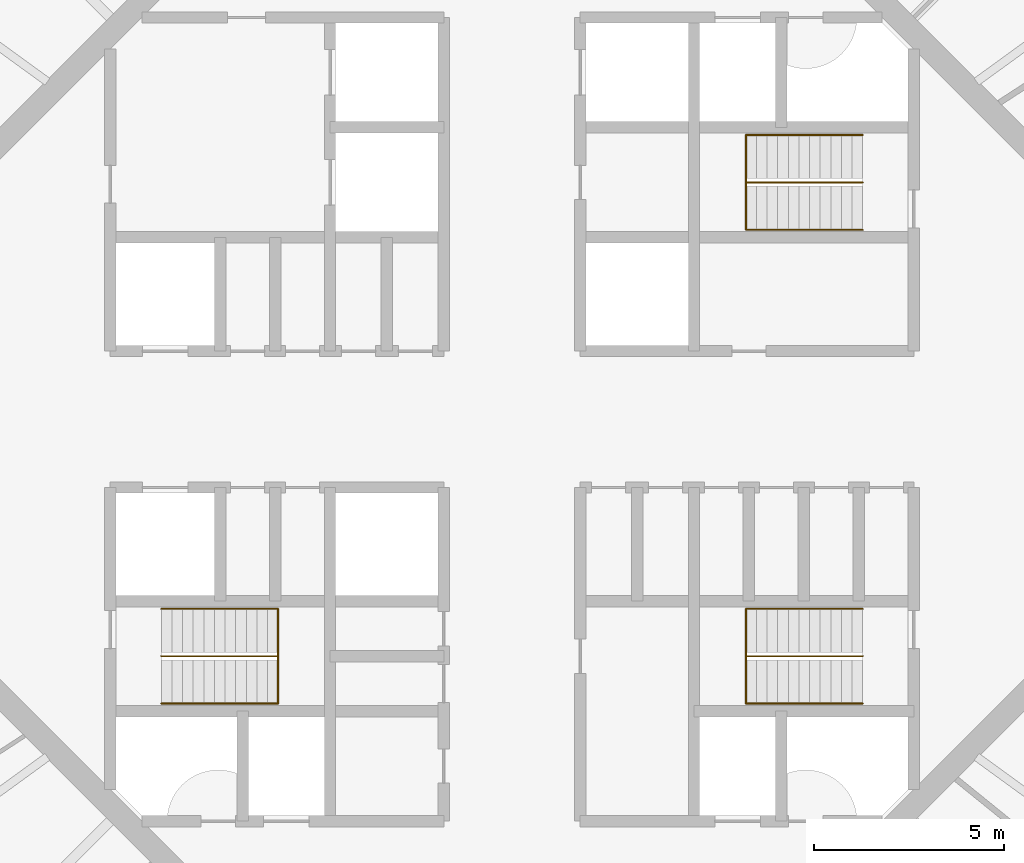
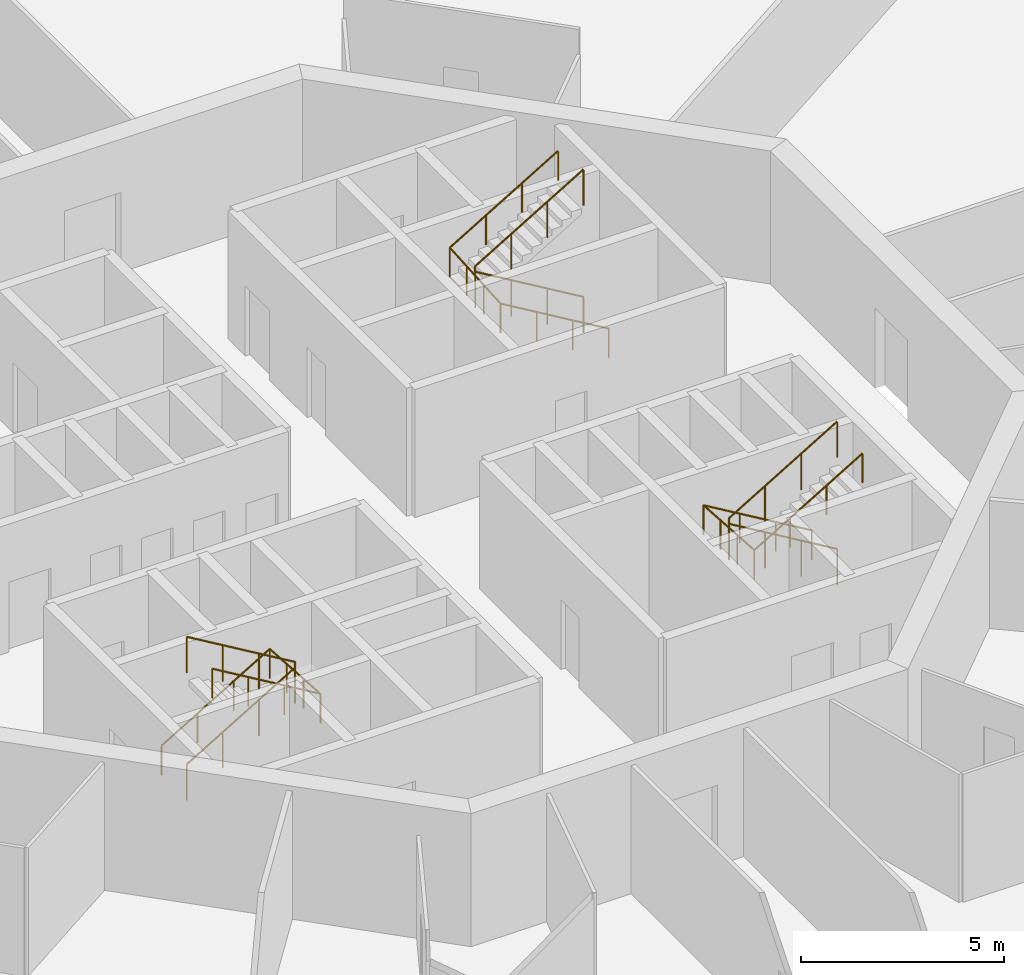
# One storey, part 13 of 13: 6 railings.
"""IFC4 building model written with IfcOpenShell, lengths in metres."""

from ifc_helpers import new_model, si_unit, direction, frame, origin, origin_2d, place, context, subcontext, project, spatial, circle, extrude, material, type_object, element, save


model = new_model("IFC4")

# Units and contexts
model_context = context("Model", 3, precision=1e-05, world=origin(), true_north=direction((0.0, 1.0)))
body_context = subcontext(model_context, "Body", "Model", "MODEL_VIEW")
ifc_project = project(units=[si_unit("LENGTHUNIT", "METRE"), si_unit("AREAUNIT", "SQUARE_METRE"), si_unit("VOLUMEUNIT", "CUBIC_METRE"), si_unit("PLANEANGLEUNIT", "RADIAN"), si_unit("MASSUNIT", "GRAM", prefix="KILO")], contexts=[model_context])

# Site, building, storey
site_placement = place(None, origin())
site = spatial("IfcSite", under=ifc_project, at=site_placement, CompositionType="ELEMENT")
building_placement = place(site_placement, origin())
building = spatial("IfcBuilding", under=site, at=building_placement, Name="Entoto Ring Tower", CompositionType="ELEMENT")
storey_placement = place(building_placement, frame((0.0, 0.0, 364.0)))
storey = spatial("IfcBuildingStorey", under=building, at=storey_placement, Name="L84", CompositionType="ELEMENT", Elevation=364.0)

# Railings
ifc_material_1 = material(Name="Steel S275", Category="steel")
railing_type_1 = type_object("IfcRailingType", Name="Stair guard 1100 mm steel", PredefinedType="GUARDRAIL", material=ifc_material_1)
railing_1_placement = place(storey_placement, frame((99.25, 86.25, 0.166748046875)))
element("IfcRailing", 1, at=railing_1_placement, inside=storey, type_object=railing_type_1, Name="Guard ST1", PredefinedType="GUARDRAIL", context=body_context, shape_type="SweptSolid", body=[
    extrude(circle(Radius=0.02392578125, at=origin_2d()), frame((0.0, 0.0, 1.076171875), z_axis=(-0.859308565015, 0.0, 0.511457515432), x_axis=(0.0, -1.0, 0.0)), (0.0, 0.0, 1.0), 3.58447265625),
    extrude(circle(Radius=0.02392578125, at=origin_2d()), frame((-3.080078125, 0.0, 2.9091796875), z_axis=(0.0, 0.0, 1.0), x_axis=(1.0, 0.0, 0.0)), (0.0, 0.0, 1.0), 0.166748046875),
    extrude(circle(Radius=0.02392578125, at=origin_2d()), frame((-3.080078125, 0.0, 3.076171875), z_axis=(0.859308565015, 0.0, 0.511457515432), x_axis=(0.0, 1.0, 0.0)), (0.0, 0.0, 1.0), 3.58447265625),
    extrude(circle(Radius=0.02099609375, at=origin_2d()), origin(), (0.0, 0.0, 1.0), 1.052001953125),
    extrude(circle(Radius=0.02099609375, at=origin_2d()), frame((-1.026611328125, 0.0, 0.611083984375)), (0.0, 0.0, 1.0), 1.052001953125),
    extrude(circle(Radius=0.02099609375, at=origin_2d()), frame((-2.053466796875, 0.0, 1.22216796875)), (0.0, 0.0, 1.0), 1.052001953125),
    extrude(circle(Radius=0.02099609375, at=origin_2d()), frame((-3.080078125, 0.0, 1.833251953125)), (0.0, 0.0, 1.0), 1.052001953125),
    extrude(circle(Radius=0.02099609375, at=origin_2d()), frame((-3.080078125, 0.0, 2.0)), (0.0, 0.0, 1.0), 1.052001953125),
    extrude(circle(Radius=0.02099609375, at=origin_2d()), frame((-2.053466796875, 0.0, 2.611083984375)), (0.0, 0.0, 1.0), 1.052001953125),
    extrude(circle(Radius=0.02099609375, at=origin_2d()), frame((-1.026611328125, 0.0, 3.22216796875)), (0.0, 0.0, 1.0), 1.052001953125),
    extrude(circle(Radius=0.02099609375, at=origin_2d()), frame((0.0, 0.0, 3.833251953125)), (0.0, 0.0, 1.0), 1.052001953125),
])
railing_2_placement = place(storey_placement, frame((80.75, 73.75, 0.166748046875)))
element("IfcRailing", 2, at=railing_2_placement, inside=storey, type_object=railing_type_1, Name="Guard ST2", PredefinedType="GUARDRAIL", context=body_context, shape_type="SweptSolid", body=[
    extrude(circle(Radius=0.02392578125, at=origin_2d()), frame((0.0, 0.0, 1.076171875), z_axis=(0.859308565015, 0.0, 0.511457515432), x_axis=(0.0, 1.0, 0.0)), (0.0, 0.0, 1.0), 3.58447265625),
    extrude(circle(Radius=0.02392578125, at=origin_2d()), frame((3.080078125, 0.0, 2.9091796875), z_axis=(0.0, 0.0, 1.0), x_axis=(1.0, 0.0, 0.0)), (0.0, 0.0, 1.0), 0.166748046875),
    extrude(circle(Radius=0.02392578125, at=origin_2d()), frame((3.080078125, 0.0, 3.076171875), z_axis=(-0.859308565015, 0.0, 0.511457515432), x_axis=(0.0, -1.0, 0.0)), (0.0, 0.0, 1.0), 3.58447265625),
    extrude(circle(Radius=0.02099609375, at=origin_2d()), origin(), (0.0, 0.0, 1.0), 1.052001953125),
    extrude(circle(Radius=0.02099609375, at=origin_2d()), frame((1.026611328125, 0.0, 0.611083984375)), (0.0, 0.0, 1.0), 1.052001953125),
    extrude(circle(Radius=0.02099609375, at=origin_2d()), frame((2.053466796875, 0.0, 1.22216796875)), (0.0, 0.0, 1.0), 1.052001953125),
    extrude(circle(Radius=0.02099609375, at=origin_2d()), frame((3.080078125, 0.0, 1.833251953125)), (0.0, 0.0, 1.0), 1.052001953125),
    extrude(circle(Radius=0.02099609375, at=origin_2d()), frame((3.080078125, 0.0, 2.0)), (0.0, 0.0, 1.0), 1.052001953125),
    extrude(circle(Radius=0.02099609375, at=origin_2d()), frame((2.053466796875, 0.0, 2.611083984375)), (0.0, 0.0, 1.0), 1.052001953125),
    extrude(circle(Radius=0.02099609375, at=origin_2d()), frame((1.026611328125, 0.0, 3.22216796875)), (0.0, 0.0, 1.0), 1.052001953125),
    extrude(circle(Radius=0.02099609375, at=origin_2d()), frame((0.0, 0.0, 3.833251953125)), (0.0, 0.0, 1.0), 1.052001953125),
])
railing_3_placement = place(storey_placement, frame((99.25, 73.75, 0.166748046875)))
element("IfcRailing", 3, at=railing_3_placement, inside=storey, type_object=railing_type_1, Name="Guard ST3", PredefinedType="GUARDRAIL", context=body_context, shape_type="SweptSolid", body=[
    extrude(circle(Radius=0.02392578125, at=origin_2d()), frame((0.0, 0.0, 1.076171875), z_axis=(-0.859308565015, 0.0, 0.511457515432), x_axis=(0.0, -1.0, 0.0)), (0.0, 0.0, 1.0), 3.58447265625),
    extrude(circle(Radius=0.02392578125, at=origin_2d()), frame((-3.080078125, 0.0, 2.9091796875), z_axis=(0.0, 0.0, 1.0), x_axis=(1.0, 0.0, 0.0)), (0.0, 0.0, 1.0), 0.166748046875),
    extrude(circle(Radius=0.02392578125, at=origin_2d()), frame((-3.080078125, 0.0, 3.076171875), z_axis=(0.859308565015, 0.0, 0.511457515432), x_axis=(0.0, 1.0, 0.0)), (0.0, 0.0, 1.0), 3.58447265625),
    extrude(circle(Radius=0.02099609375, at=origin_2d()), origin(), (0.0, 0.0, 1.0), 1.052001953125),
    extrude(circle(Radius=0.02099609375, at=origin_2d()), frame((-1.026611328125, 0.0, 0.611083984375)), (0.0, 0.0, 1.0), 1.052001953125),
    extrude(circle(Radius=0.02099609375, at=origin_2d()), frame((-2.053466796875, 0.0, 1.22216796875)), (0.0, 0.0, 1.0), 1.052001953125),
    extrude(circle(Radius=0.02099609375, at=origin_2d()), frame((-3.080078125, 0.0, 1.833251953125)), (0.0, 0.0, 1.0), 1.052001953125),
    extrude(circle(Radius=0.02099609375, at=origin_2d()), frame((-3.080078125, 0.0, 2.0)), (0.0, 0.0, 1.0), 1.052001953125),
    extrude(circle(Radius=0.02099609375, at=origin_2d()), frame((-2.053466796875, 0.0, 2.611083984375)), (0.0, 0.0, 1.0), 1.052001953125),
    extrude(circle(Radius=0.02099609375, at=origin_2d()), frame((-1.026611328125, 0.0, 3.22216796875)), (0.0, 0.0, 1.0), 1.052001953125),
    extrude(circle(Radius=0.02099609375, at=origin_2d()), frame((0.0, 0.0, 3.833251953125)), (0.0, 0.0, 1.0), 1.052001953125),
])
ifc_material_2 = material(Name="Steel S275", Category="steel")
railing_type_2 = type_object("IfcRailingType", Name="Stair handrail 900 mm steel", PredefinedType="HANDRAIL", material=ifc_material_2)
railing_4_placement = place(storey_placement, frame((99.25, 85.0, 0.166748046875)))
element("IfcRailing", 4, at=railing_4_placement, inside=storey, type_object=railing_type_2, Name="Handrail ST1", PredefinedType="HANDRAIL", context=body_context, shape_type="SweptSolid", body=[
    extrude(circle(Radius=0.02392578125, at=origin_2d()), frame((0.0, 0.0, 0.8759765625), z_axis=(-0.859308565015, 0.0, 0.511457515432), x_axis=(0.0, -1.0, 0.0)), (0.0, 0.0, 1.0), 3.58447265625),
    extrude(circle(Radius=0.02392578125, at=origin_2d()), frame((-3.080078125, 0.0, 2.708984375), z_axis=(0.0, 0.997783001586, 0.066551346688), x_axis=(-1.0, 0.0, 0.0)), (0.0, 0.0, 1.0), 2.505615234375),
    extrude(circle(Radius=0.02392578125, at=origin_2d()), frame((-3.080078125, 2.5, 2.8759765625), z_axis=(0.859308565015, 0.0, 0.511457515432), x_axis=(0.0, 1.0, 0.0)), (0.0, 0.0, 1.0), 3.58447265625),
    extrude(circle(Radius=0.02099609375, at=origin_2d()), origin(), (0.0, 0.0, 1.0), 0.851806640625),
    extrude(circle(Radius=0.02099609375, at=origin_2d()), frame((-1.026611328125, 0.0, 0.611083984375)), (0.0, 0.0, 1.0), 0.851806640625),
    extrude(circle(Radius=0.02099609375, at=origin_2d()), frame((-2.053466796875, 0.0, 1.22216796875)), (0.0, 0.0, 1.0), 0.851806640625),
    extrude(circle(Radius=0.02099609375, at=origin_2d()), frame((-3.080078125, 0.0, 1.833251953125)), (0.0, 0.0, 1.0), 0.851806640625),
    extrude(circle(Radius=0.02099609375, at=origin_2d()), frame((-3.080078125, 0.833251953125, 1.888916015625)), (0.0, 0.0, 1.0), 0.851806640625),
    extrude(circle(Radius=0.02099609375, at=origin_2d()), frame((-3.080078125, 1.666748046875, 1.9443359375)), (0.0, 0.0, 1.0), 0.851806640625),
    extrude(circle(Radius=0.02099609375, at=origin_2d()), frame((-3.080078125, 2.5, 2.0)), (0.0, 0.0, 1.0), 0.851806640625),
    extrude(circle(Radius=0.02099609375, at=origin_2d()), frame((-2.053466796875, 2.5, 2.611083984375)), (0.0, 0.0, 1.0), 0.851806640625),
    extrude(circle(Radius=0.02099609375, at=origin_2d()), frame((-1.026611328125, 2.5, 3.22216796875)), (0.0, 0.0, 1.0), 0.851806640625),
    extrude(circle(Radius=0.02099609375, at=origin_2d()), frame((0.0, 2.5, 3.833251953125)), (0.0, 0.0, 1.0), 0.851806640625),
])
railing_5_placement = place(storey_placement, frame((80.75, 75.0, 0.166748046875)))
element("IfcRailing", 5, at=railing_5_placement, inside=storey, type_object=railing_type_2, Name="Handrail ST2", PredefinedType="HANDRAIL", context=body_context, shape_type="SweptSolid", body=[
    extrude(circle(Radius=0.02392578125, at=origin_2d()), frame((0.0, 0.0, 0.8759765625), z_axis=(0.859308565015, 0.0, 0.511457515432), x_axis=(0.0, 1.0, 0.0)), (0.0, 0.0, 1.0), 3.58447265625),
    extrude(circle(Radius=0.02392578125, at=origin_2d()), frame((3.080078125, 0.0, 2.708984375), z_axis=(0.0, -0.997783001586, 0.066551346688), x_axis=(1.0, 0.0, 0.0)), (0.0, 0.0, 1.0), 2.505615234375),
    extrude(circle(Radius=0.02392578125, at=origin_2d()), frame((3.080078125, -2.5, 2.8759765625), z_axis=(-0.859308565015, 0.0, 0.511457515432), x_axis=(0.0, -1.0, 0.0)), (0.0, 0.0, 1.0), 3.58447265625),
    extrude(circle(Radius=0.02099609375, at=origin_2d()), origin(), (0.0, 0.0, 1.0), 0.851806640625),
    extrude(circle(Radius=0.02099609375, at=origin_2d()), frame((1.026611328125, 0.0, 0.611083984375)), (0.0, 0.0, 1.0), 0.851806640625),
    extrude(circle(Radius=0.02099609375, at=origin_2d()), frame((2.053466796875, 0.0, 1.22216796875)), (0.0, 0.0, 1.0), 0.851806640625),
    extrude(circle(Radius=0.02099609375, at=origin_2d()), frame((3.080078125, 0.0, 1.833251953125)), (0.0, 0.0, 1.0), 0.851806640625),
    extrude(circle(Radius=0.02099609375, at=origin_2d()), frame((3.080078125, -0.833251953125, 1.888916015625)), (0.0, 0.0, 1.0), 0.851806640625),
    extrude(circle(Radius=0.02099609375, at=origin_2d()), frame((3.080078125, -1.666748046875, 1.9443359375)), (0.0, 0.0, 1.0), 0.851806640625),
    extrude(circle(Radius=0.02099609375, at=origin_2d()), frame((3.080078125, -2.5, 2.0)), (0.0, 0.0, 1.0), 0.851806640625),
    extrude(circle(Radius=0.02099609375, at=origin_2d()), frame((2.053466796875, -2.5, 2.611083984375)), (0.0, 0.0, 1.0), 0.851806640625),
    extrude(circle(Radius=0.02099609375, at=origin_2d()), frame((1.026611328125, -2.5, 3.22216796875)), (0.0, 0.0, 1.0), 0.851806640625),
    extrude(circle(Radius=0.02099609375, at=origin_2d()), frame((0.0, -2.5, 3.833251953125)), (0.0, 0.0, 1.0), 0.851806640625),
])
railing_6_placement = place(storey_placement, frame((99.25, 75.0, 0.166748046875)))
element("IfcRailing", 6, at=railing_6_placement, inside=storey, type_object=railing_type_2, Name="Handrail ST3", PredefinedType="HANDRAIL", context=body_context, shape_type="SweptSolid", body=[
    extrude(circle(Radius=0.02392578125, at=origin_2d()), frame((0.0, 0.0, 0.8759765625), z_axis=(-0.859308565015, 0.0, 0.511457515432), x_axis=(0.0, -1.0, 0.0)), (0.0, 0.0, 1.0), 3.58447265625),
    extrude(circle(Radius=0.02392578125, at=origin_2d()), frame((-3.080078125, 0.0, 2.708984375), z_axis=(0.0, -0.997783001586, 0.066551346688), x_axis=(1.0, 0.0, 0.0)), (0.0, 0.0, 1.0), 2.505615234375),
    extrude(circle(Radius=0.02392578125, at=origin_2d()), frame((-3.080078125, -2.5, 2.8759765625), z_axis=(0.859308565015, 0.0, 0.511457515432), x_axis=(0.0, 1.0, 0.0)), (0.0, 0.0, 1.0), 3.58447265625),
    extrude(circle(Radius=0.02099609375, at=origin_2d()), origin(), (0.0, 0.0, 1.0), 0.851806640625),
    extrude(circle(Radius=0.02099609375, at=origin_2d()), frame((-1.026611328125, 0.0, 0.611083984375)), (0.0, 0.0, 1.0), 0.851806640625),
    extrude(circle(Radius=0.02099609375, at=origin_2d()), frame((-2.053466796875, 0.0, 1.22216796875)), (0.0, 0.0, 1.0), 0.851806640625),
    extrude(circle(Radius=0.02099609375, at=origin_2d()), frame((-3.080078125, 0.0, 1.833251953125)), (0.0, 0.0, 1.0), 0.851806640625),
    extrude(circle(Radius=0.02099609375, at=origin_2d()), frame((-3.080078125, -0.833251953125, 1.888916015625)), (0.0, 0.0, 1.0), 0.851806640625),
    extrude(circle(Radius=0.02099609375, at=origin_2d()), frame((-3.080078125, -1.666748046875, 1.9443359375)), (0.0, 0.0, 1.0), 0.851806640625),
    extrude(circle(Radius=0.02099609375, at=origin_2d()), frame((-3.080078125, -2.5, 2.0)), (0.0, 0.0, 1.0), 0.851806640625),
    extrude(circle(Radius=0.02099609375, at=origin_2d()), frame((-2.053466796875, -2.5, 2.611083984375)), (0.0, 0.0, 1.0), 0.851806640625),
    extrude(circle(Radius=0.02099609375, at=origin_2d()), frame((-1.026611328125, -2.5, 3.22216796875)), (0.0, 0.0, 1.0), 0.851806640625),
    extrude(circle(Radius=0.02099609375, at=origin_2d()), frame((0.0, -2.5, 3.833251953125)), (0.0, 0.0, 1.0), 0.851806640625),
])

save(model, "model.ifc")
